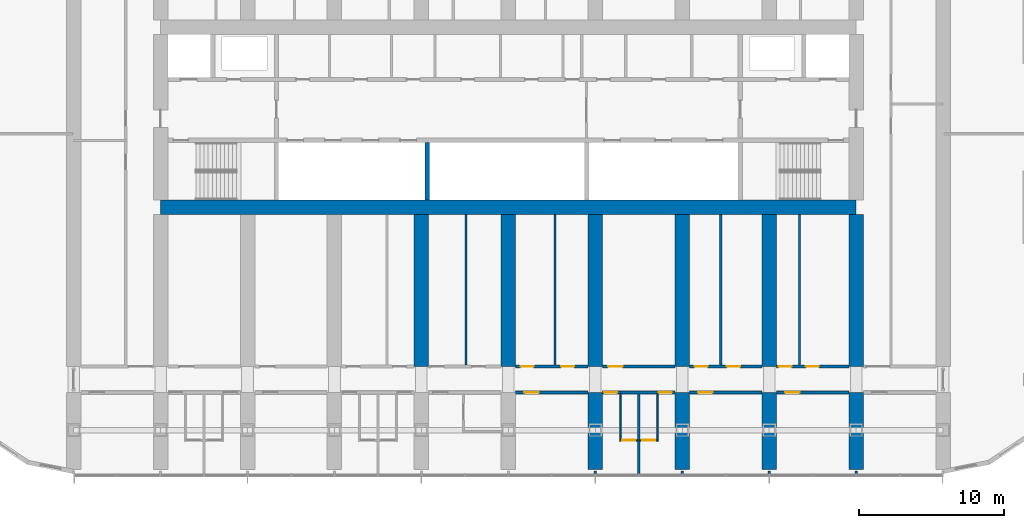
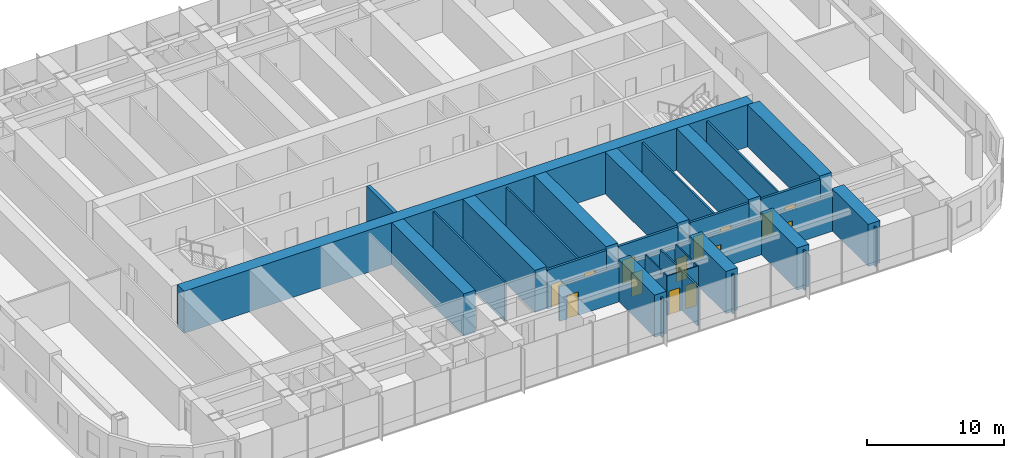
# One storey, part 14 of 26: 33 walls, 14 doors, 14 openings.
"""IFC4 building model written with IfcOpenShell, lengths in metres."""

from ifc_helpers import new_model, si_unit, direction, frame, frame_2d, origin, place, context, subcontext, project, spatial, polyline, rectangle, outline, extrude, material, layer, layer_set, type_object, element, fill, save


model = new_model("IFC4")

# Units and contexts
model_context = context("Model", 3, precision=1e-05, world=origin(), true_north=direction((0.0, 1.0)))
body_context = subcontext(model_context, "Body", "Model", "MODEL_VIEW")
ifc_project = project(units=[si_unit("LENGTHUNIT", "METRE"), si_unit("AREAUNIT", "SQUARE_METRE"), si_unit("VOLUMEUNIT", "CUBIC_METRE"), si_unit("PLANEANGLEUNIT", "RADIAN"), si_unit("MASSUNIT", "GRAM", prefix="KILO")], contexts=[model_context])

# Site, building, storey
site_placement = place(None, origin())
site = spatial("IfcSite", under=ifc_project, at=site_placement, CompositionType="ELEMENT")
building_placement = place(site_placement, origin())
building = spatial("IfcBuilding", under=site, at=building_placement, Name="Orbita Commons", CompositionType="ELEMENT")
storey_placement = place(building_placement, frame((0.0, 0.0, 53.949951171875)))
storey = spatial("IfcBuildingStorey", under=building, at=storey_placement, Name="L13", CompositionType="ELEMENT", Elevation=53.949951171875)

# Walls
ifc_material_1 = material(Name="Concrete C50/60", Category="concrete")
ifc_layer_1 = layer(ifc_material_1, 0.300048828125)
ifc_layer_set_1 = layer_set([ifc_layer_1], Name="Concrete C50/60")
wall_type_1 = type_object("IfcWallType", Name="Core inner wall 300 C50/60", PredefinedType="SHEAR", material=ifc_layer_set_1)
wall_1_placement = place(storey_placement, frame((36.39990234375, 26.300048828125, 0.0), z_axis=(0.0, 0.0, 1.0), x_axis=(0.0, 1.0, 0.0)))
element("IfcWall", 1, at=wall_1_placement, inside=storey, type_object=wall_type_1, Name="Hoistway division wall L13", PredefinedType="SHEAR", context=body_context, shape_type="SweptSolid", body=[
    extrude(rectangle(XDim=3.949951171875, YDim=0.300048828125, at=frame_2d((1.97509765625, 0.0))), origin(), (0.0, 0.0, 1.0), 3.75),
])
ifc_material_2 = material(Name="Concrete C50/60", Category="concrete")
ifc_layer_2 = layer(ifc_material_2, 1.0)
ifc_layer_set_2 = layer_set([ifc_layer_2], Name="Concrete C50/60")
wall_type_2 = type_object("IfcWallType", Name="Core wall 1000 C50/60", PredefinedType="SHEAR", material=ifc_layer_set_2)
wall_2_placement = place(storey_placement, frame((18.0, 25.800048828125, 0.0), z_axis=(0.0, 0.0, 1.0), x_axis=(1.0, 0.0, 0.0)))
element("IfcWall", 2, at=wall_2_placement, inside=storey, type_object=wall_type_2, Name="Core spine wall south L13", PredefinedType="SHEAR", context=body_context, shape_type="SweptSolid", body=[
    extrude(rectangle(XDim=48.0, YDim=1.0, at=frame_2d((24.0, 0.0))), origin(), (0.0, 0.0, 1.0), 3.75),
])

# Wall, opening, door
ifc_material_3 = material(Name="Concrete blockwork", Category="masonry")
ifc_layer_3 = layer(ifc_material_3, 0.199951171875)
ifc_layer_set_3 = layer_set([ifc_layer_3], Name="Concrete blockwork")
wall_type_3 = type_object("IfcWallType", Name="Corridor wall 200 blockwork", PredefinedType="SOLIDWALL", material=ifc_layer_set_3)
wall_3_placement = place(storey_placement, frame((42.5, 13.0, 0.0), z_axis=(0.0, 0.0, 1.0), x_axis=(1.0, 0.0, 0.0)))
wall_3 = element("IfcWall", 3, at=wall_3_placement, inside=storey, type_object=wall_type_3, Name="Corridor wall 200 blockwork L13", PredefinedType="SOLIDWALL", context=body_context, shape_type="SweptSolid", body=[
    extrude(outline(polyline([(0.0, 0.0), (5.0, 0.0), (5.0, 3.10009765625), (0.0, 3.10009765625), (0.0, 0.0)])), frame((0.0, 0.10009765625, 0.0), z_axis=(0.0, -1.0, 0.0), x_axis=(1.0, 0.0, 0.0)), (0.0, 0.0, 1.0), 0.199951171875),
])
opening_1_placement = place(wall_3_placement, frame((0.60009765625, 0.0, 0.0)))
opening_1 = element("IfcOpeningElement", 4, at=opening_1_placement, cuts=wall_3, Name="Opening D06", PredefinedType="OPENING", context=body_context, shape_type="SweptSolid", body=[
    extrude(rectangle(XDim=1.0, YDim=2.10009765625, at=frame_2d((0.5, 1.050048828125))), frame((0.0, 0.10986328125, 0.0), z_axis=(0.0, -1.0, 0.0), x_axis=(1.0, 0.0, 0.0)), (0.0, 0.0, 1.0), 0.219970703125),
])
ifc_material_4 = material(Name="Steel-faced fire door leaf", Category="steel")
door_type_1 = type_object("IfcDoorType", Name="Corridor door 20 min 1000x2100", OperationType="SINGLE_SWING_LEFT", PredefinedType="DOOR", material=ifc_material_4)
door_1_placement = place(opening_1_placement, origin())
door_1 = element("IfcDoor", 5, at=door_1_placement, inside=storey, type_object=door_type_1, Name="House study room L13-S10 door", OperationType="SINGLE_SWING_LEFT", OverallHeight=2.10009765625, OverallWidth=1.0, PredefinedType="DOOR", context=body_context, shape_type="SweptSolid", body=[
    extrude(rectangle(XDim=1.0, YDim=2.10009765625, at=frame_2d((0.5, 1.050048828125))), frame((0.0, 0.02490234375, 0.0), z_axis=(0.0, -1.0, 0.0), x_axis=(1.0, 0.0, 0.0)), (0.0, 0.0, 1.0), 0.050048828125),
])
fill(opening_1, door_1)

# Wall, openings, doors
wall_4_placement = place(storey_placement, frame((48.5, 13.0, 0.0), z_axis=(0.0, 0.0, 1.0), x_axis=(1.0, 0.0, 0.0)))
wall_4 = element("IfcWall", 6, at=wall_4_placement, inside=storey, type_object=wall_type_3, Name="Corridor wall 200 blockwork L13", PredefinedType="SOLIDWALL", context=body_context, shape_type="SweptSolid", body=[
    extrude(outline(polyline([(0.0, 0.0), (5.0, 0.0), (5.0, 3.10009765625), (0.0, 3.10009765625), (0.0, 0.0)])), frame((0.0, 0.10009765625, 0.0), z_axis=(0.0, -1.0, 0.0), x_axis=(1.0, 0.0, 0.0)), (0.0, 0.0, 1.0), 0.199951171875),
])
opening_2_placement = place(wall_4_placement, frame((0.10009765625, 0.0, 0.0)))
opening_2 = element("IfcOpeningElement", 7, at=opening_2_placement, cuts=wall_4, Name="Opening D11", PredefinedType="OPENING", context=body_context, shape_type="SweptSolid", body=[
    extrude(rectangle(XDim=0.89990234375, YDim=2.10009765625, at=frame_2d((0.449951171875, 1.050048828125))), frame((0.0, 0.10986328125, 0.0), z_axis=(0.0, -1.0, 0.0), x_axis=(1.0, 0.0, 0.0)), (0.0, 0.0, 1.0), 0.219970703125),
])
opening_3_placement = place(wall_4_placement, frame((3.875, 0.0, 0.0)))
opening_3 = element("IfcOpeningElement", 8, at=opening_3_placement, cuts=wall_4, Name="Opening D11", PredefinedType="OPENING", context=body_context, shape_type="SweptSolid", body=[
    extrude(rectangle(XDim=0.89990234375, YDim=2.10009765625, at=frame_2d((0.449951171875, 1.050048828125))), frame((0.0, 0.10986328125, 0.0), z_axis=(0.0, -1.0, 0.0), x_axis=(1.0, 0.0, 0.0)), (0.0, 0.0, 1.0), 0.219970703125),
])
ifc_material_5 = material(Name="Steel-faced fire door leaf", Category="steel")
door_type_2 = type_object("IfcDoorType", Name="Corridor door 20 min 900x2100", OperationType="SINGLE_SWING_LEFT", PredefinedType="DOOR", material=ifc_material_5)
door_2_placement = place(opening_2_placement, origin())
door_2 = element("IfcDoor", 9, at=door_2_placement, inside=storey, type_object=door_type_2, Name="House bedroom L13-S12 door", OperationType="SINGLE_SWING_LEFT", OverallHeight=2.10009765625, OverallWidth=0.89990234375, PredefinedType="DOOR", context=body_context, shape_type="SweptSolid", body=[
    extrude(rectangle(XDim=0.89990234375, YDim=2.10009765625, at=frame_2d((0.449951171875, 1.050048828125))), frame((0.0, 0.02490234375, 0.0), z_axis=(0.0, -1.0, 0.0), x_axis=(1.0, 0.0, 0.0)), (0.0, 0.0, 1.0), 0.050048828125),
])
fill(opening_2, door_2)
door_3_placement = place(opening_3_placement, origin())
door_3 = element("IfcDoor", 10, at=door_3_placement, inside=storey, type_object=door_type_2, Name="House bedroom L13-S13 door", OperationType="SINGLE_SWING_LEFT", OverallHeight=2.10009765625, OverallWidth=0.89990234375, PredefinedType="DOOR", context=body_context, shape_type="SweptSolid", body=[
    extrude(rectangle(XDim=0.89990234375, YDim=2.10009765625, at=frame_2d((0.449951171875, 1.050048828125))), frame((0.0, 0.02490234375, 0.0), z_axis=(0.0, -1.0, 0.0), x_axis=(1.0, 0.0, 0.0)), (0.0, 0.0, 1.0), 0.050048828125),
])
fill(opening_3, door_3)

# Wall, opening, door
wall_5_placement = place(storey_placement, frame((54.5, 13.0, 0.0), z_axis=(0.0, 0.0, 1.0), x_axis=(1.0, 0.0, 0.0)))
wall_5 = element("IfcWall", 11, at=wall_5_placement, inside=storey, type_object=wall_type_3, Name="Corridor wall 200 blockwork L13", PredefinedType="SOLIDWALL", context=body_context, shape_type="SweptSolid", body=[
    extrude(outline(polyline([(0.0, 0.0), (5.0, 0.0), (5.0, 3.10009765625), (0.0, 3.10009765625), (0.0, 0.0)])), frame((0.0, 0.10009765625, 0.0), z_axis=(0.0, -1.0, 0.0), x_axis=(1.0, 0.0, 0.0)), (0.0, 0.0, 1.0), 0.199951171875),
])
opening_4_placement = place(wall_5_placement, frame((0.60009765625, 0.0, 0.0)))
opening_4 = element("IfcOpeningElement", 12, at=opening_4_placement, cuts=wall_5, Name="Opening D06", PredefinedType="OPENING", context=body_context, shape_type="SweptSolid", body=[
    extrude(rectangle(XDim=1.0, YDim=2.10009765625, at=frame_2d((0.5, 1.050048828125))), frame((0.0, 0.10986328125, 0.0), z_axis=(0.0, -1.0, 0.0), x_axis=(1.0, 0.0, 0.0)), (0.0, 0.0, 1.0), 0.219970703125),
])
door_4_placement = place(opening_4_placement, origin())
door_4 = element("IfcDoor", 13, at=door_4_placement, inside=storey, type_object=door_type_1, Name="House study room L13-S14 door", OperationType="SINGLE_SWING_LEFT", OverallHeight=2.10009765625, OverallWidth=1.0, PredefinedType="DOOR", context=body_context, shape_type="SweptSolid", body=[
    extrude(rectangle(XDim=1.0, YDim=2.10009765625, at=frame_2d((0.5, 1.050048828125))), frame((0.0, 0.02490234375, 0.0), z_axis=(0.0, -1.0, 0.0), x_axis=(1.0, 0.0, 0.0)), (0.0, 0.0, 1.0), 0.050048828125),
])
fill(opening_4, door_4)

wall_6_placement = place(storey_placement, frame((60.5, 13.0, 0.0), z_axis=(0.0, 0.0, 1.0), x_axis=(1.0, 0.0, 0.0)))
wall_6 = element("IfcWall", 14, at=wall_6_placement, inside=storey, type_object=wall_type_3, Name="Corridor wall 200 blockwork L13", PredefinedType="SOLIDWALL", context=body_context, shape_type="SweptSolid", body=[
    extrude(outline(polyline([(0.0, 0.0), (5.0, 0.0), (5.0, 3.10009765625), (0.0, 3.10009765625), (0.0, 0.0)])), frame((0.0, 0.10009765625, 0.0), z_axis=(0.0, -1.0, 0.0), x_axis=(1.0, 0.0, 0.0)), (0.0, 0.0, 1.0), 0.199951171875),
])
opening_5_placement = place(wall_6_placement, frame((0.60009765625, 0.0, 0.0)))
opening_5 = element("IfcOpeningElement", 15, at=opening_5_placement, cuts=wall_6, Name="Opening D06", PredefinedType="OPENING", context=body_context, shape_type="SweptSolid", body=[
    extrude(rectangle(XDim=1.0, YDim=2.10009765625, at=frame_2d((0.5, 1.050048828125))), frame((0.0, 0.10986328125, 0.0), z_axis=(0.0, -1.0, 0.0), x_axis=(1.0, 0.0, 0.0)), (0.0, 0.0, 1.0), 0.219970703125),
])
door_5_placement = place(opening_5_placement, origin())
door_5 = element("IfcDoor", 16, at=door_5_placement, inside=storey, type_object=door_type_1, Name="House kitchen-diner L13-S16 door", OperationType="SINGLE_SWING_LEFT", OverallHeight=2.10009765625, OverallWidth=1.0, PredefinedType="DOOR", context=body_context, shape_type="SweptSolid", body=[
    extrude(rectangle(XDim=1.0, YDim=2.10009765625, at=frame_2d((0.5, 1.050048828125))), frame((0.0, 0.02490234375, 0.0), z_axis=(0.0, -1.0, 0.0), x_axis=(1.0, 0.0, 0.0)), (0.0, 0.0, 1.0), 0.050048828125),
])
fill(opening_5, door_5)

# Wall, openings, doors
ifc_material_6 = material(Name="Hollow concrete block 200", Category="concrete")
ifc_layer_4 = layer(ifc_material_6, 0.199951171875)
ifc_layer_set_4 = layer_set([ifc_layer_4], Name="Hollow concrete block 200")
wall_type_4 = type_object("IfcWallType", Name="Corridor wall 200 hollow concrete block", PredefinedType="SOLIDWALL", material=ifc_layer_set_4)
wall_7_placement = place(storey_placement, frame((42.5, 14.800048828125, 0.0), z_axis=(0.0, 0.0, 1.0), x_axis=(1.0, 0.0, 0.0)))
wall_7 = element("IfcWall", 17, at=wall_7_placement, inside=storey, type_object=wall_type_4, Name="Corridor wall 200 hollow concrete block L13", PredefinedType="SOLIDWALL", context=body_context, shape_type="SweptSolid", body=[
    extrude(rectangle(XDim=5.0, YDim=0.199951171875, at=frame_2d((2.5, 0.0))), origin(), (0.0, 0.0, 1.0), 3.5),
])
opening_6_placement = place(wall_7_placement, frame((0.35009765625, 0.0, 0.0)))
opening_6 = element("IfcOpeningElement", 18, at=opening_6_placement, cuts=wall_7, Name="Opening D11", PredefinedType="OPENING", context=body_context, shape_type="SweptSolid", body=[
    extrude(rectangle(XDim=0.89990234375, YDim=2.10009765625, at=frame_2d((0.449951171875, 1.050048828125))), frame((0.0, 0.10986328125, 0.0), z_axis=(0.0, -1.0, 0.0), x_axis=(1.0, 0.0, 0.0)), (0.0, 0.0, 1.0), 0.219970703125),
])
opening_7_placement = place(wall_7_placement, frame((3.135009765625, 0.0, 0.0)))
opening_7 = element("IfcOpeningElement", 19, at=opening_7_placement, cuts=wall_7, Name="Opening D11", PredefinedType="OPENING", context=body_context, shape_type="SweptSolid", body=[
    extrude(rectangle(XDim=0.89990234375, YDim=2.10009765625, at=frame_2d((0.449951171875, 1.050048828125))), frame((0.0, 0.10986328125, 0.0), z_axis=(0.0, -1.0, 0.0), x_axis=(1.0, 0.0, 0.0)), (0.0, 0.0, 1.0), 0.219970703125),
])
door_6_placement = place(opening_6_placement, origin())
door_6 = element("IfcDoor", 20, at=door_6_placement, inside=storey, type_object=door_type_2, Name="Equipment store L13-BDS42n door", OperationType="SINGLE_SWING_LEFT", OverallHeight=2.10009765625, OverallWidth=0.89990234375, PredefinedType="DOOR", context=body_context, shape_type="SweptSolid", body=[
    extrude(rectangle(XDim=0.89990234375, YDim=2.10009765625, at=frame_2d((0.449951171875, 1.050048828125))), frame((0.0, 0.02490234375, 0.0), z_axis=(0.0, -1.0, 0.0), x_axis=(1.0, 0.0, 0.0)), (0.0, 0.0, 1.0), 0.050048828125),
])
fill(opening_6, door_6)
door_7_placement = place(opening_7_placement, origin())
door_7 = element("IfcDoor", 21, at=door_7_placement, inside=storey, type_object=door_type_2, Name="Quiet prayer room L13-BDS42 door", OperationType="SINGLE_SWING_LEFT", OverallHeight=2.10009765625, OverallWidth=0.89990234375, PredefinedType="DOOR", context=body_context, shape_type="SweptSolid", body=[
    extrude(rectangle(XDim=0.89990234375, YDim=2.10009765625, at=frame_2d((0.449951171875, 1.050048828125))), frame((0.0, 0.02490234375, 0.0), z_axis=(0.0, -1.0, 0.0), x_axis=(1.0, 0.0, 0.0)), (0.0, 0.0, 1.0), 0.050048828125),
])
fill(opening_7, door_7)

# Wall, opening, door
wall_8_placement = place(storey_placement, frame((48.5, 14.800048828125, 0.0), z_axis=(0.0, 0.0, 1.0), x_axis=(1.0, 0.0, 0.0)))
wall_8 = element("IfcWall", 22, at=wall_8_placement, inside=storey, type_object=wall_type_4, Name="Corridor wall 200 hollow concrete block L13", PredefinedType="SOLIDWALL", context=body_context, shape_type="SweptSolid", body=[
    extrude(rectangle(XDim=5.0, YDim=0.199951171875, at=frame_2d((2.5, 0.0))), origin(), (0.0, 0.0, 1.0), 3.5),
])
opening_8_placement = place(wall_8_placement, frame((0.375, 0.0, 0.0)))
opening_8 = element("IfcOpeningElement", 23, at=opening_8_placement, cuts=wall_8, Name="Opening D06", PredefinedType="OPENING", context=body_context, shape_type="SweptSolid", body=[
    extrude(rectangle(XDim=1.0, YDim=2.10009765625, at=frame_2d((0.5, 1.050048828125))), frame((0.0, 0.10986328125, 0.0), z_axis=(0.0, -1.0, 0.0), x_axis=(1.0, 0.0, 0.0)), (0.0, 0.0, 1.0), 0.219970703125),
])
door_8_placement = place(opening_8_placement, origin())
door_8 = element("IfcDoor", 24, at=door_8_placement, inside=storey, type_object=door_type_1, Name="Pantry L13-BDS48 door", OperationType="SINGLE_SWING_LEFT", OverallHeight=2.10009765625, OverallWidth=1.0, PredefinedType="DOOR", context=body_context, shape_type="SweptSolid", body=[
    extrude(rectangle(XDim=1.0, YDim=2.10009765625, at=frame_2d((0.5, 1.050048828125))), frame((0.0, 0.02490234375, 0.0), z_axis=(0.0, -1.0, 0.0), x_axis=(1.0, 0.0, 0.0)), (0.0, 0.0, 1.0), 0.050048828125),
])
fill(opening_8, door_8)

# Wall, openings, doors
wall_9_placement = place(storey_placement, frame((54.5, 14.800048828125, 0.0), z_axis=(0.0, 0.0, 1.0), x_axis=(1.0, 0.0, 0.0)))
wall_9 = element("IfcWall", 25, at=wall_9_placement, inside=storey, type_object=wall_type_4, Name="Corridor wall 200 hollow concrete block L13", PredefinedType="SOLIDWALL", context=body_context, shape_type="SweptSolid", body=[
    extrude(rectangle(XDim=5.0, YDim=0.199951171875, at=frame_2d((2.5, 0.0))), origin(), (0.0, 0.0, 1.0), 3.5),
])
opening_9_placement = place(wall_9_placement, frame((0.35009765625, 0.0, 0.0)))
opening_9 = element("IfcOpeningElement", 26, at=opening_9_placement, cuts=wall_9, Name="Opening D11", PredefinedType="OPENING", context=body_context, shape_type="SweptSolid", body=[
    extrude(rectangle(XDim=0.89990234375, YDim=2.10009765625, at=frame_2d((0.449951171875, 1.050048828125))), frame((0.0, 0.10986328125, 0.0), z_axis=(0.0, -1.0, 0.0), x_axis=(1.0, 0.0, 0.0)), (0.0, 0.0, 1.0), 0.219970703125),
])
opening_10_placement = place(wall_9_placement, frame((2.5849609375, 0.0, 0.0)))
opening_10 = element("IfcOpeningElement", 27, at=opening_10_placement, cuts=wall_9, Name="Opening D11", PredefinedType="OPENING", context=body_context, shape_type="SweptSolid", body=[
    extrude(rectangle(XDim=0.89990234375, YDim=2.10009765625, at=frame_2d((0.449951171875, 1.050048828125))), frame((0.0, 0.10986328125, 0.0), z_axis=(0.0, -1.0, 0.0), x_axis=(1.0, 0.0, 0.0)), (0.0, 0.0, 1.0), 0.219970703125),
])
door_9_placement = place(opening_9_placement, origin())
door_9 = element("IfcDoor", 28, at=door_9_placement, inside=storey, type_object=door_type_2, Name="Battery and UPS room L13-BDS54n door", OperationType="SINGLE_SWING_LEFT", OverallHeight=2.10009765625, OverallWidth=0.89990234375, PredefinedType="DOOR", context=body_context, shape_type="SweptSolid", body=[
    extrude(rectangle(XDim=0.89990234375, YDim=2.10009765625, at=frame_2d((0.449951171875, 1.050048828125))), frame((0.0, 0.02490234375, 0.0), z_axis=(0.0, -1.0, 0.0), x_axis=(1.0, 0.0, 0.0)), (0.0, 0.0, 1.0), 0.050048828125),
])
fill(opening_9, door_9)
door_10_placement = place(opening_10_placement, origin())
door_10 = element("IfcDoor", 29, at=door_10_placement, inside=storey, type_object=door_type_2, Name="Ventilation plant room south L13-BDS54 door", OperationType="SINGLE_SWING_LEFT", OverallHeight=2.10009765625, OverallWidth=0.89990234375, PredefinedType="DOOR", context=body_context, shape_type="SweptSolid", body=[
    extrude(rectangle(XDim=0.89990234375, YDim=2.10009765625, at=frame_2d((0.449951171875, 1.050048828125))), frame((0.0, 0.02490234375, 0.0), z_axis=(0.0, -1.0, 0.0), x_axis=(1.0, 0.0, 0.0)), (0.0, 0.0, 1.0), 0.050048828125),
])
fill(opening_10, door_10)

wall_10_placement = place(storey_placement, frame((60.5, 14.800048828125, 0.0), z_axis=(0.0, 0.0, 1.0), x_axis=(1.0, 0.0, 0.0)))
wall_10 = element("IfcWall", 30, at=wall_10_placement, inside=storey, type_object=wall_type_4, Name="Corridor wall 200 hollow concrete block L13", PredefinedType="SOLIDWALL", context=body_context, shape_type="SweptSolid", body=[
    extrude(rectangle(XDim=5.0, YDim=0.199951171875, at=frame_2d((2.5, 0.0))), origin(), (0.0, 0.0, 1.0), 3.5),
])
opening_11_placement = place(wall_10_placement, frame((0.14990234375, 0.0, 0.0)))
opening_11 = element("IfcOpeningElement", 31, at=opening_11_placement, cuts=wall_10, Name="Opening D11", PredefinedType="OPENING", context=body_context, shape_type="SweptSolid", body=[
    extrude(rectangle(XDim=0.89990234375, YDim=2.10009765625, at=frame_2d((0.449951171875, 1.050048828125))), frame((0.0, 0.10986328125, 0.0), z_axis=(0.0, -1.0, 0.0), x_axis=(1.0, 0.0, 0.0)), (0.0, 0.0, 1.0), 0.219970703125),
])
opening_12_placement = place(wall_10_placement, frame((2.02001953125, 0.0, 0.0)))
opening_12 = element("IfcOpeningElement", 32, at=opening_12_placement, cuts=wall_10, Name="Opening D11", PredefinedType="OPENING", context=body_context, shape_type="SweptSolid", body=[
    extrude(rectangle(XDim=0.89990234375, YDim=2.10009765625, at=frame_2d((0.449951171875, 1.050048828125))), frame((0.0, 0.10986328125, 0.0), z_axis=(0.0, -1.0, 0.0), x_axis=(1.0, 0.0, 0.0)), (0.0, 0.0, 1.0), 0.219970703125),
])
door_11_placement = place(opening_11_placement, origin())
door_11 = element("IfcDoor", 33, at=door_11_placement, inside=storey, type_object=door_type_2, Name="Sprinkler valve room L13-BDS60n door", OperationType="SINGLE_SWING_LEFT", OverallHeight=2.10009765625, OverallWidth=0.89990234375, PredefinedType="DOOR", context=body_context, shape_type="SweptSolid", body=[
    extrude(rectangle(XDim=0.89990234375, YDim=2.10009765625, at=frame_2d((0.449951171875, 1.050048828125))), frame((0.0, 0.02490234375, 0.0), z_axis=(0.0, -1.0, 0.0), x_axis=(1.0, 0.0, 0.0)), (0.0, 0.0, 1.0), 0.050048828125),
])
fill(opening_11, door_11)
door_12_placement = place(opening_12_placement, origin())
door_12 = element("IfcDoor", 34, at=door_12_placement, inside=storey, type_object=door_type_2, Name="Refuse and recycling room L13-BDS60 door", OperationType="SINGLE_SWING_LEFT", OverallHeight=2.10009765625, OverallWidth=0.89990234375, PredefinedType="DOOR", context=body_context, shape_type="SweptSolid", body=[
    extrude(rectangle(XDim=0.89990234375, YDim=2.10009765625, at=frame_2d((0.449951171875, 1.050048828125))), frame((0.0, 0.02490234375, 0.0), z_axis=(0.0, -1.0, 0.0), x_axis=(1.0, 0.0, 0.0)), (0.0, 0.0, 1.0), 0.050048828125),
])
fill(opening_12, door_12)

# Walls
ifc_material_7 = material(Name="Concrete C50/60", Category="concrete")
ifc_layer_5 = layer(ifc_material_7, 1.0)
ifc_layer_set_5 = layer_set([ifc_layer_5], Name="Concrete C50/60")
wall_type_5 = type_object("IfcWallType", Name="Cross wall 1000 C50/60", PredefinedType="SHEAR", material=ifc_layer_set_5)
for number, where, z_axis, x_axis, name in (
    (35, (36.0, 14.800048828125, 0.0), (0.0, 0.0, 1.0), (0.0, 1.0, 0.0), "Cross wall 7 south inner L13"),
    (36, (42.0, 14.800048828125, 0.0), (0.0, 0.0, 1.0), (0.0, 1.0, 0.0), "Cross wall 8 south inner L13"),
):
    element("IfcWall", number, at=place(storey_placement, frame(where, z_axis=z_axis, x_axis=x_axis)), inside=storey, type_object=wall_type_5, Name=name, PredefinedType="SHEAR", context=body_context, shape_type="SweptSolid", body=[
        extrude(rectangle(XDim=10.5, YDim=1.0, at=frame_2d((5.25, 0.0))), origin(), (0.0, 0.0, 1.0), 3.75),
    ])
wall_11_placement = place(storey_placement, frame((48.0, 7.699951171875, 0.0), z_axis=(0.0, 0.0, 1.0), x_axis=(0.0, 1.0, 0.0)))
element("IfcWall", 37, at=wall_11_placement, inside=storey, type_object=wall_type_5, Name="Cross wall 9 south outer L13", PredefinedType="SHEAR", context=body_context, shape_type="SweptSolid", body=[
    extrude(rectangle(XDim=5.300048828125, YDim=1.0, at=frame_2d((2.64990234375, 0.0))), origin(), (0.0, 0.0, 1.0), 3.75),
])
wall_12_placement = place(storey_placement, frame((48.0, 14.800048828125, 0.0), z_axis=(0.0, 0.0, 1.0), x_axis=(0.0, 1.0, 0.0)))
element("IfcWall", 38, at=wall_12_placement, inside=storey, type_object=wall_type_5, Name="Cross wall 9 south inner L13", PredefinedType="SHEAR", context=body_context, shape_type="SweptSolid", body=[
    extrude(rectangle(XDim=10.5, YDim=1.0, at=frame_2d((5.25, 0.0))), origin(), (0.0, 0.0, 1.0), 3.75),
])
wall_13_placement = place(storey_placement, frame((54.0, 7.699951171875, 0.0), z_axis=(0.0, 0.0, 1.0), x_axis=(0.0, 1.0, 0.0)))
element("IfcWall", 39, at=wall_13_placement, inside=storey, type_object=wall_type_5, Name="Cross wall 10 south outer L13", PredefinedType="SHEAR", context=body_context, shape_type="SweptSolid", body=[
    extrude(rectangle(XDim=5.300048828125, YDim=1.0, at=frame_2d((2.64990234375, 0.0))), origin(), (0.0, 0.0, 1.0), 3.75),
])
wall_14_placement = place(storey_placement, frame((54.0, 14.800048828125, 0.0), z_axis=(0.0, 0.0, 1.0), x_axis=(0.0, 1.0, 0.0)))
element("IfcWall", 40, at=wall_14_placement, inside=storey, type_object=wall_type_5, Name="Cross wall 10 south inner L13", PredefinedType="SHEAR", context=body_context, shape_type="SweptSolid", body=[
    extrude(rectangle(XDim=10.5, YDim=1.0, at=frame_2d((5.25, 0.0))), origin(), (0.0, 0.0, 1.0), 3.75),
])
wall_15_placement = place(storey_placement, frame((60.0, 7.699951171875, 0.0), z_axis=(0.0, 0.0, 1.0), x_axis=(0.0, 1.0, 0.0)))
element("IfcWall", 41, at=wall_15_placement, inside=storey, type_object=wall_type_5, Name="Cross wall 11 south outer L13", PredefinedType="SHEAR", context=body_context, shape_type="SweptSolid", body=[
    extrude(rectangle(XDim=5.300048828125, YDim=1.0, at=frame_2d((2.64990234375, 0.0))), origin(), (0.0, 0.0, 1.0), 3.75),
])
wall_16_placement = place(storey_placement, frame((60.0, 14.800048828125, 0.0), z_axis=(0.0, 0.0, 1.0), x_axis=(0.0, 1.0, 0.0)))
element("IfcWall", 42, at=wall_16_placement, inside=storey, type_object=wall_type_5, Name="Cross wall 11 south inner L13", PredefinedType="SHEAR", context=body_context, shape_type="SweptSolid", body=[
    extrude(rectangle(XDim=10.5, YDim=1.0, at=frame_2d((5.25, 0.0))), origin(), (0.0, 0.0, 1.0), 3.75),
])
wall_17_placement = place(storey_placement, frame((66.0, 7.699951171875, 0.0), z_axis=(0.0, 0.0, 1.0), x_axis=(0.0, 1.0, 0.0)))
element("IfcWall", 43, at=wall_17_placement, inside=storey, type_object=wall_type_5, Name="Cross wall 12 south outer L13", PredefinedType="SHEAR", context=body_context, shape_type="SweptSolid", body=[
    extrude(rectangle(XDim=5.300048828125, YDim=1.0, at=frame_2d((2.64990234375, 0.0))), origin(), (0.0, 0.0, 1.0), 3.75),
])
wall_18_placement = place(storey_placement, frame((66.0, 14.800048828125, 0.0), z_axis=(0.0, 0.0, 1.0), x_axis=(0.0, 1.0, 0.0)))
element("IfcWall", 44, at=wall_18_placement, inside=storey, type_object=wall_type_5, Name="Cross wall 12 south inner L13", PredefinedType="SHEAR", context=body_context, shape_type="SweptSolid", body=[
    extrude(rectangle(XDim=10.5, YDim=1.0, at=frame_2d((5.25, 0.0))), origin(), (0.0, 0.0, 1.0), 3.75),
])

# Wall, opening, door
ifc_material_8 = material(Name="Moisture-resistant plasterboard on steel studs", Category="steel")
ifc_layer_6 = layer(ifc_material_8, 0.10009765625)
ifc_layer_set_6 = layer_set([ifc_layer_6], Name="Moisture-resistant plasterboard on steel studs")
wall_type_6 = type_object("IfcWallType", Name="En-suite partition 100", PredefinedType="PARTITIONING", material=ifc_layer_set_6)
wall_19_placement = place(storey_placement, frame((50.925048828125, 9.699951171875, 0.0), z_axis=(0.0, 0.0, 1.0), x_axis=(-1.0, 0.0, 0.0)))
wall_19 = element("IfcWall", 45, at=wall_19_placement, inside=storey, type_object=wall_type_6, Name="En-suite partition 100 L13", PredefinedType="PARTITIONING", context=body_context, shape_type="SweptSolid", body=[
    extrude(rectangle(XDim=1.25, YDim=0.10009765625, at=frame_2d((0.625, 0.0))), origin(), (0.0, 0.0, 1.0), 3.5),
])
opening_13_placement = place(wall_19_placement, frame((0.175048828125, 0.0, 0.0)))
opening_13 = element("IfcOpeningElement", 46, at=opening_13_placement, cuts=wall_19, Name="Opening D09", PredefinedType="OPENING", context=body_context, shape_type="SweptSolid", body=[
    extrude(rectangle(XDim=0.89990234375, YDim=2.10009765625, at=frame_2d((0.449951171875, 1.050048828125))), frame((0.0, 0.06005859375, 0.0), z_axis=(0.0, -1.0, 0.0), x_axis=(1.0, 0.0, 0.0)), (0.0, 0.0, 1.0), 0.1201171875),
])
ifc_material_9 = material(Name="Laminated timber door leaf", Category="wood")
door_type_3 = type_object("IfcDoorType", Name="En-suite door 900x2100", OperationType="SINGLE_SWING_RIGHT", PredefinedType="DOOR", material=ifc_material_9)
door_13_placement = place(opening_13_placement, origin())
door_13 = element("IfcDoor", 47, at=door_13_placement, inside=storey, type_object=door_type_3, Name="En-suite L13-S12 door", OperationType="SINGLE_SWING_RIGHT", OverallHeight=2.10009765625, OverallWidth=0.89990234375, PredefinedType="DOOR", context=body_context, shape_type="SweptSolid", body=[
    extrude(rectangle(XDim=0.89990234375, YDim=2.10009765625, at=frame_2d((0.449951171875, 1.050048828125))), frame((0.0, 0.02490234375, 0.0), z_axis=(0.0, -1.0, 0.0), x_axis=(1.0, 0.0, 0.0)), (0.0, 0.0, 1.0), 0.050048828125),
])
fill(opening_13, door_13)

# Wall
wall_20_placement = place(storey_placement, frame((49.72509765625, 9.75, 0.0), z_axis=(0.0, 0.0, 1.0), x_axis=(0.0, 1.0, 0.0)))
element("IfcWall", 48, at=wall_20_placement, inside=storey, type_object=wall_type_6, Name="En-suite partition 100 L13", PredefinedType="PARTITIONING", context=body_context, shape_type="SweptSolid", body=[
    extrude(outline(polyline([(0.0, 0.0), (3.14990234375, 0.0), (3.14990234375, 3.10009765625), (3.10205078125, 3.10009765625), (3.10009765625, 3.5), (0.85205078125, 3.5), (0.85009765625, 3.10009765625), (0.451904296875, 3.10009765625), (0.449951171875, 3.5), (0.0, 3.5), (0.0, 0.0)])), frame((0.0, 0.050048828125, 0.0), z_axis=(0.0, -1.0, 0.0), x_axis=(1.0, 0.0, 0.0)), (0.0, 0.0, 1.0), 0.10009765625),
])

# Wall, opening, door
wall_21_placement = place(storey_placement, frame((52.324951171875, 9.699951171875, 0.0), z_axis=(0.0, 0.0, 1.0), x_axis=(-1.0, 0.0, 0.0)))
wall_21 = element("IfcWall", 49, at=wall_21_placement, inside=storey, type_object=wall_type_6, Name="En-suite partition 100 L13", PredefinedType="PARTITIONING", context=body_context, shape_type="SweptSolid", body=[
    extrude(rectangle(XDim=1.25, YDim=0.10009765625, at=frame_2d((0.625, 0.0))), origin(), (0.0, 0.0, 1.0), 3.5),
])
opening_14_placement = place(wall_21_placement, frame((0.175048828125, 0.0, 0.0)))
opening_14 = element("IfcOpeningElement", 50, at=opening_14_placement, cuts=wall_21, Name="Opening D09", PredefinedType="OPENING", context=body_context, shape_type="SweptSolid", body=[
    extrude(rectangle(XDim=0.89990234375, YDim=2.10009765625, at=frame_2d((0.449951171875, 1.050048828125))), frame((0.0, 0.06005859375, 0.0), z_axis=(0.0, -1.0, 0.0), x_axis=(1.0, 0.0, 0.0)), (0.0, 0.0, 1.0), 0.1201171875),
])
door_14_placement = place(opening_14_placement, origin())
door_14 = element("IfcDoor", 51, at=door_14_placement, inside=storey, type_object=door_type_3, Name="En-suite L13-S13 door", OperationType="SINGLE_SWING_RIGHT", OverallHeight=2.10009765625, OverallWidth=0.89990234375, PredefinedType="DOOR", context=body_context, shape_type="SweptSolid", body=[
    extrude(rectangle(XDim=0.89990234375, YDim=2.10009765625, at=frame_2d((0.449951171875, 1.050048828125))), frame((0.0, 0.02490234375, 0.0), z_axis=(0.0, -1.0, 0.0), x_axis=(1.0, 0.0, 0.0)), (0.0, 0.0, 1.0), 0.050048828125),
])
fill(opening_14, door_14)

# Walls
wall_22_placement = place(storey_placement, frame((52.27490234375, 9.75, 0.0), z_axis=(0.0, 0.0, 1.0), x_axis=(0.0, 1.0, 0.0)))
element("IfcWall", 52, at=wall_22_placement, inside=storey, type_object=wall_type_6, Name="En-suite partition 100 L13", PredefinedType="PARTITIONING", context=body_context, shape_type="SweptSolid", body=[
    extrude(outline(polyline([(0.0, 0.0), (3.14990234375, 0.0), (3.14990234375, 3.10009765625), (3.10205078125, 3.10009765625), (3.10009765625, 3.5), (0.85205078125, 3.5), (0.85009765625, 3.10009765625), (0.451904296875, 3.10009765625), (0.449951171875, 3.5), (0.0, 3.5), (0.0, 0.0)])), frame((0.0, 0.050048828125, 0.0), z_axis=(0.0, -1.0, 0.0), x_axis=(1.0, 0.0, 0.0)), (0.0, 0.0, 1.0), 0.10009765625),
])
ifc_material_10 = material(Name="Gypsum plasterboard on steel studs", Category="steel")
ifc_layer_7 = layer(ifc_material_10, 0.14990234375)
ifc_layer_set_7 = layer_set([ifc_layer_7], Name="Gypsum plasterboard on steel studs")
wall_type_7 = type_object("IfcWallType", Name="Partition 150 plasterboard", PredefinedType="PARTITIONING", material=ifc_layer_set_7)
for number, where, z_axis, x_axis, name in (
    (53, (39.074951171875, 14.89990234375, 0.0), (0.0, 0.0, 1.0), (0.0, 1.0, 0.0), "Partition 150 plasterboard L13"),
    (54, (45.2099609375, 14.89990234375, 0.0), (0.0, 0.0, 1.0), (0.0, 1.0, 0.0), "Partition 150 plasterboard L13"),
    (55, (56.659912109375, 14.89990234375, 0.0), (0.0, 0.0, 1.0), (0.0, 1.0, 0.0), "Partition 150 plasterboard L13"),
    (56, (62.094970703125, 14.89990234375, 0.0), (0.0, 0.0, 1.0), (0.0, 1.0, 0.0), "Partition 150 plasterboard L13"),
):
    element("IfcWall", number, at=place(storey_placement, frame(where, z_axis=z_axis, x_axis=x_axis)), inside=storey, type_object=wall_type_7, Name=name, PredefinedType="PARTITIONING", context=body_context, shape_type="SweptSolid", body=[
        extrude(rectangle(XDim=10.400146484375, YDim=0.14990234375, at=frame_2d((5.2001953125, 0.0))), origin(), (0.0, 0.0, 1.0), 3.5),
    ])
for number, where, z_axis, x_axis, name in (
    (57, (48.0, 7.60009765625, 0.0), (0.0, 0.0, 1.0), (0.0, -1.0, 0.0), "Partition 150 plasterboard L13"),
    (58, (54.0, 7.60009765625, 0.0), (0.0, 0.0, 1.0), (0.0, -1.0, 0.0), "Partition 150 plasterboard L13"),
    (59, (60.0, 7.60009765625, 0.0), (0.0, 0.0, 1.0), (0.0, -1.0, 0.0), "Partition 150 plasterboard L13"),
    (60, (66.0, 7.60009765625, 0.0), (0.0, 0.0, 1.0), (0.0, -1.0, 0.0), "Partition 150 plasterboard L13"),
):
    element("IfcWall", number, at=place(storey_placement, frame(where, z_axis=z_axis, x_axis=x_axis)), inside=storey, type_object=wall_type_7, Name=name, PredefinedType="PARTITIONING", context=body_context, shape_type="SweptSolid", body=[
        extrude(rectangle(XDim=0.190185546875, YDim=0.14990234375, at=frame_2d((0.09521484375, 0.0))), origin(), (0.0, 0.0, 1.0), 3.5),
    ])
ifc_material_11 = material(Name="Gypsum plasterboard on steel studs", Category="steel")
ifc_layer_8 = layer(ifc_material_11, 0.14990234375)
ifc_layer_set_8 = layer_set([ifc_layer_8], Name="Gypsum plasterboard on steel studs")
wall_type_8 = type_object("IfcWallType", Name="Party wall 150 plasterboard", PredefinedType="PARTITIONING", material=ifc_layer_set_8)
wall_23_placement = place(storey_placement, frame((51.0, 7.409912109375, 0.0), z_axis=(0.0, 0.0, 1.0), x_axis=(0.0, 1.0, 0.0)))
element("IfcWall", 61, at=wall_23_placement, inside=storey, type_object=wall_type_8, Name="Party wall 150 plasterboard L13", PredefinedType="PARTITIONING", context=body_context, shape_type="SweptSolid", body=[
    extrude(outline(polyline([(0.0, 0.0), (5.489990234375, 0.0), (5.489990234375, 3.10009765625), (5.44189453125, 3.10009765625), (5.43994140625, 3.5), (3.19189453125, 3.5), (3.18994140625, 3.10009765625), (2.7919921875, 3.10009765625), (2.7900390625, 3.5), (0.0, 3.5), (0.0, 0.0)])), frame((0.0, 0.074951171875, 0.0), z_axis=(0.0, -1.0, 0.0), x_axis=(1.0, 0.0, 0.0)), (0.0, 0.0, 1.0), 0.14990234375),
])

save(model, "model.ifc")
